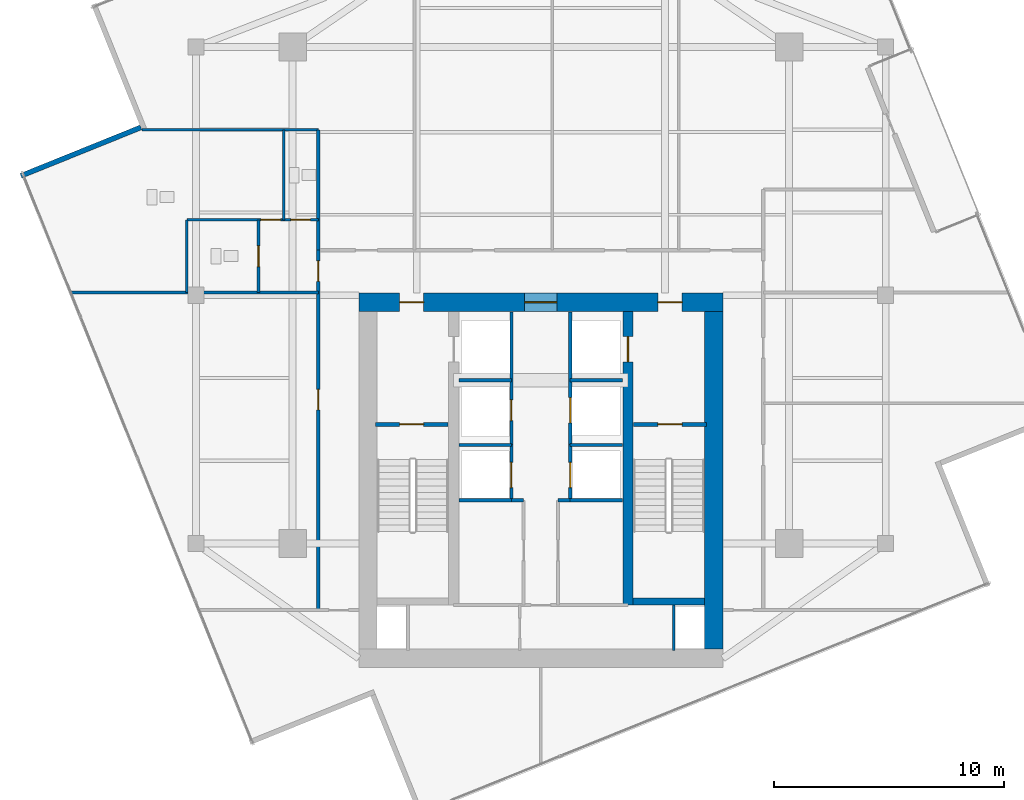
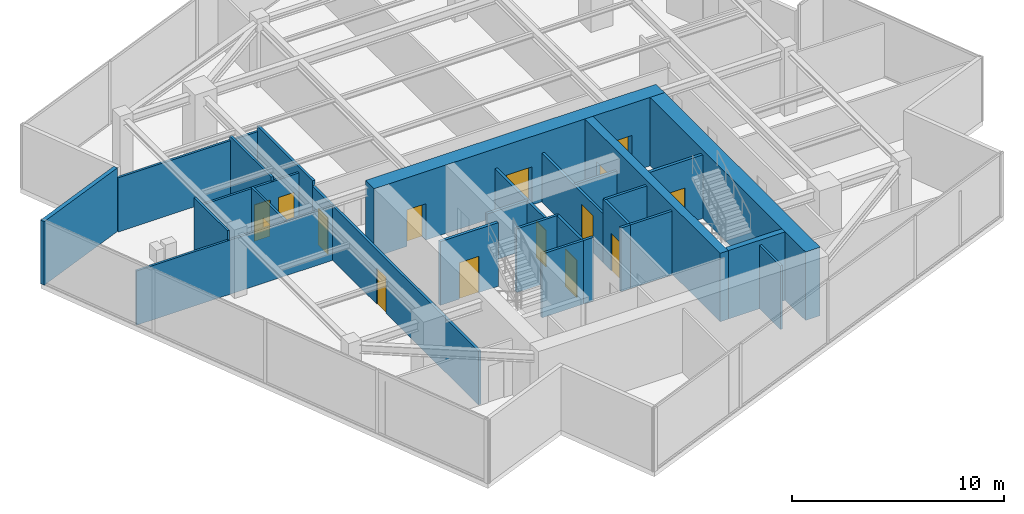
# One storey, part 18 of 21: 28 walls, 15 doors, 15 openings.
"""IFC4 building model written with IfcOpenShell, lengths in metres."""

from ifc_helpers import new_model, si_unit, direction, frame, frame_2d, origin, place, context, subcontext, project, spatial, rectangle, extrude, material, layer, layer_set, type_object, element, fill, save


model = new_model("IFC4")

# Units and contexts
model_context = context("Model", 3, precision=1e-05, world=origin(), true_north=direction((0.0, 1.0)))
body_context = subcontext(model_context, "Body", "Model", "MODEL_VIEW")
ifc_project = project(units=[si_unit("LENGTHUNIT", "METRE"), si_unit("AREAUNIT", "SQUARE_METRE"), si_unit("VOLUMEUNIT", "CUBIC_METRE"), si_unit("PLANEANGLEUNIT", "RADIAN"), si_unit("MASSUNIT", "GRAM", prefix="KILO")], contexts=[model_context])

# Site, building, storey
site_placement = place(None, origin())
site = spatial("IfcSite", under=ifc_project, at=site_placement, CompositionType="ELEMENT")
building_placement = place(site_placement, origin())
building = spatial("IfcBuilding", under=site, at=building_placement, Name="Krantzveldt Concourse Tower", CompositionType="ELEMENT")
storey_placement = place(building_placement, frame((0.0, 0.0, 327.699951171875)))
storey = spatial("IfcBuildingStorey", under=building, at=storey_placement, Name="L80", CompositionType="ELEMENT", Elevation=327.699951171875)

# Walls
ifc_material_1 = material(Name="Anodised aluminium 6063-T6", Category="aluminium")
ifc_layer_1 = layer(ifc_material_1, 0.219970703125, Name="Anodised aluminium 6063-T6", Category="aluminium")
ifc_layer_set_1 = layer_set([ifc_layer_1], Name="Anodised aluminium 6063-T6 (WL-EXT-NOTCH220)")
wall_type_1 = type_object("IfcWallType", Name="WL-EXT-NOTCH220", PredefinedType="ELEMENTEDWALL", material=ifc_layer_set_1)
wall_1_placement = place(storey_placement, frame((18.59716796875, 34.00244140625, 0.0), z_axis=(0.0, 0.0, 1.0), x_axis=(-0.927180963658, -0.374613748588, 0.0)))
element("IfcWall", 1, at=wall_1_placement, inside=storey, type_object=wall_type_1, Name="EW-L80-NCH03", PredefinedType="ELEMENTEDWALL", context=body_context, shape_type="SweptSolid", body=[
    extrude(rectangle(XDim=5.625, YDim=0.219970703125, at=frame_2d((2.8125, 0.0))), origin(), (0.0, 0.0, 1.0), 3.670166015625),
])
ifc_material_2 = material(Name="Fire-rated gypsum plasterboard on steel stud", Category="steel")
ifc_layer_2 = layer(ifc_material_2, 0.1201171875, Name="Fire-rated gypsum plasterboard on steel stud", Category="steel")
ifc_layer_set_2 = layer_set([ifc_layer_2], Name="Fire-rated gypsum plasterboard on steel stud (WL-PART-120)")
wall_type_2 = type_object("IfcWallType", Name="WL-PART-120", PredefinedType="PARTITIONING", material=ifc_layer_set_2)
wall_2_placement = place(storey_placement, frame((15.556396484375, 26.820068359375, 0.0), z_axis=(0.0, 0.0, 1.0), x_axis=(1.0, 0.0, 0.0)))
element("IfcWall", 2, at=wall_2_placement, inside=storey, type_object=wall_type_2, Name="WP-L80-WCBS", PredefinedType="PARTITIONING", context=body_context, shape_type="SweptSolid", body=[
    extrude(rectangle(XDim=10.763671875, YDim=0.1201171875, at=frame_2d((5.3818359375, 0.0))), origin(), (0.0, 0.0, 1.0), 3.130126953125),
])
wall_3_placement = place(storey_placement, frame((18.638671875, 33.89990234375, 0.0), z_axis=(0.0, 0.0, 1.0), x_axis=(1.0, 0.0, 0.0)))
element("IfcWall", 3, at=wall_3_placement, inside=storey, type_object=wall_type_2, Name="WP-L80-WCBN", PredefinedType="PARTITIONING", context=body_context, shape_type="SweptSolid", body=[
    extrude(rectangle(XDim=7.681396484375, YDim=0.1201171875, at=frame_2d((3.8408203125, 0.0))), origin(), (0.0, 0.0, 1.0), 3.130126953125),
])

# Wall, openings, doors
wall_4_placement = place(storey_placement, frame((20.60009765625, 29.97998046875, 0.0), z_axis=(0.0, 0.0, 1.0), x_axis=(1.0, 0.0, 0.0)))
wall_4 = element("IfcWall", 4, at=wall_4_placement, inside=storey, type_object=wall_type_2, Name="WP-L80-WCMH", PredefinedType="PARTITIONING", context=body_context, shape_type="SweptSolid", body=[
    extrude(rectangle(XDim=5.719970703125, YDim=0.1201171875, at=frame_2d((2.85986328125, 0.0))), origin(), (0.0, 0.0, 1.0), 3.130126953125),
])
opening_1_placement = place(wall_4_placement, frame((3.22509765625, 0.0, 0.0)))
opening_1 = element("IfcOpeningElement", 5, at=opening_1_placement, cuts=wall_4, Name="Opening D-IN085", PredefinedType="OPENING", context=body_context, shape_type="SweptSolid", body=[
    extrude(rectangle(XDim=0.85009765625, YDim=2.10009765625, at=frame_2d((0.425048828125, 1.050048828125))), frame((0.0, 0.070068359375, 0.0), z_axis=(0.0, -1.0, 0.0), x_axis=(1.0, 0.0, 0.0)), (0.0, 0.0, 1.0), 0.14013671875),
])
opening_2_placement = place(wall_4_placement, frame((4.52490234375, 0.0, 0.0)))
opening_2 = element("IfcOpeningElement", 6, at=opening_2_placement, cuts=wall_4, Name="Opening D-IN085", PredefinedType="OPENING", context=body_context, shape_type="SweptSolid", body=[
    extrude(rectangle(XDim=0.85009765625, YDim=2.10009765625, at=frame_2d((0.425048828125, 1.050048828125))), frame((0.0, 0.070068359375, 0.0), z_axis=(0.0, -1.0, 0.0), x_axis=(1.0, 0.0, 0.0)), (0.0, 0.0, 1.0), 0.14013671875),
])
ifc_material_3 = material(Name="Hardwood timber", Category="wood")
door_type_1 = type_object("IfcDoorType", Name="DR-INT-850", OperationType="SINGLE_SWING_LEFT", PredefinedType="DOOR", material=ifc_material_3)
door_1_placement = place(opening_1_placement, origin())
door_1 = element("IfcDoor", 7, at=door_1_placement, inside=storey, type_object=door_type_1, Name="DR-L80-WCM", OperationType="SINGLE_SWING_LEFT", OverallHeight=2.10009765625, OverallWidth=0.85009765625, PredefinedType="DOOR", context=body_context, shape_type="SweptSolid", body=[
    extrude(rectangle(XDim=0.85009765625, YDim=2.10009765625, at=frame_2d((0.425048828125, 1.050048828125))), frame((0.0, 0.02490234375, 0.0), z_axis=(0.0, -1.0, 0.0), x_axis=(1.0, 0.0, 0.0)), (0.0, 0.0, 1.0), 0.050048828125),
])
fill(opening_1, door_1)
door_2_placement = place(opening_2_placement, origin())
door_2 = element("IfcDoor", 8, at=door_2_placement, inside=storey, type_object=door_type_1, Name="DR-L80-WCF", OperationType="SINGLE_SWING_RIGHT", OverallHeight=2.10009765625, OverallWidth=0.85009765625, PredefinedType="DOOR", context=body_context, shape_type="SweptSolid", body=[
    extrude(rectangle(XDim=0.85009765625, YDim=2.10009765625, at=frame_2d((0.425048828125, 1.050048828125))), frame((0.0, 0.02490234375, 0.0), z_axis=(0.0, -1.0, 0.0), x_axis=(1.0, 0.0, 0.0)), (0.0, 0.0, 1.0), 0.050048828125),
])
fill(opening_2, door_2)

# Wall
wall_5_placement = place(storey_placement, frame((20.60009765625, 26.820068359375, 0.0), z_axis=(0.0, 0.0, 1.0), x_axis=(0.0, 1.0, 0.0)))
element("IfcWall", 9, at=wall_5_placement, inside=storey, type_object=wall_type_2, Name="WP-L80-WCAL", PredefinedType="PARTITIONING", context=body_context, shape_type="SweptSolid", body=[
    extrude(rectangle(XDim=3.159912109375, YDim=0.1201171875, at=frame_2d((1.580078125, 0.0))), origin(), (0.0, 0.0, 1.0), 3.670166015625),
])

# Wall, opening, door
wall_6_placement = place(storey_placement, frame((23.719970703125, 26.820068359375, 0.0), z_axis=(0.0, 0.0, 1.0), x_axis=(0.0, 1.0, 0.0)))
wall_6 = element("IfcWall", 10, at=wall_6_placement, inside=storey, type_object=wall_type_2, Name="WP-L80-WCAV", PredefinedType="PARTITIONING", context=body_context, shape_type="SweptSolid", body=[
    extrude(rectangle(XDim=3.159912109375, YDim=0.1201171875, at=frame_2d((1.580078125, 0.0))), origin(), (0.0, 0.0, 1.0), 3.179931640625),
])
opening_3_placement = place(wall_6_placement, frame((1.1298828125, 0.0, 0.0)))
opening_3 = element("IfcOpeningElement", 11, at=opening_3_placement, cuts=wall_6, Name="Opening D-IN090", PredefinedType="OPENING", context=body_context, shape_type="SweptSolid", body=[
    extrude(rectangle(XDim=0.89990234375, YDim=2.10009765625, at=frame_2d((0.449951171875, 1.050048828125))), frame((0.0, 0.070068359375, 0.0), z_axis=(0.0, -1.0, 0.0), x_axis=(1.0, 0.0, 0.0)), (0.0, 0.0, 1.0), 0.14013671875),
])
door_type_2 = type_object("IfcDoorType", Name="DR-INT-900", OperationType="SINGLE_SWING_LEFT", PredefinedType="DOOR", material=ifc_material_3)
door_3_placement = place(opening_3_placement, origin())
door_3 = element("IfcDoor", 12, at=door_3_placement, inside=storey, type_object=door_type_2, Name="DR-L80-WCA", OperationType="SINGLE_SWING_LEFT", OverallHeight=2.10009765625, OverallWidth=0.89990234375, PredefinedType="DOOR", context=body_context, shape_type="SweptSolid", body=[
    extrude(rectangle(XDim=0.89990234375, YDim=2.10009765625, at=frame_2d((0.449951171875, 1.050048828125))), frame((0.0, 0.02490234375, 0.0), z_axis=(0.0, -1.0, 0.0), x_axis=(1.0, 0.0, 0.0)), (0.0, 0.0, 1.0), 0.050048828125),
])
fill(opening_3, door_3)

# Wall
wall_7_placement = place(storey_placement, frame((24.820068359375, 29.97998046875, 0.0), z_axis=(0.0, 0.0, 1.0), x_axis=(0.0, 1.0, 0.0)))
element("IfcWall", 13, at=wall_7_placement, inside=storey, type_object=wall_type_2, Name="WP-L80-WCFD", PredefinedType="PARTITIONING", context=body_context, shape_type="SweptSolid", body=[
    extrude(rectangle(XDim=3.919921875, YDim=0.1201171875, at=frame_2d((1.9599609375, 0.0))), origin(), (0.0, 0.0, 1.0), 3.3701171875),
])

# Wall, openings, doors
ifc_layer_3 = layer(ifc_material_2, 0.139892578125, Name="Fire-rated gypsum plasterboard on steel stud", Category="steel")
ifc_layer_set_3 = layer_set([ifc_layer_3], Name="Fire-rated gypsum plasterboard on steel stud (WL-PART-140)")
wall_type_3 = type_object("IfcWallType", Name="WL-PART-140", PredefinedType="PARTITIONING", material=ifc_layer_set_3)
wall_8_placement = place(storey_placement, frame((26.320068359375, 13.0, 0.0), z_axis=(0.0, 0.0, 1.0), x_axis=(0.0, 1.0, 0.0)))
wall_8 = element("IfcWall", 14, at=wall_8_placement, inside=storey, type_object=wall_type_3, Name="WP-L80-CWEST", PredefinedType="PARTITIONING", context=body_context, shape_type="SweptSolid", body=[
    extrude(rectangle(XDim=15.659912109375, YDim=0.139892578125, at=frame_2d((7.830078125, 0.0))), origin(), (0.0, 0.0, 1.0), 3.130126953125),
])
opening_4_placement = place(wall_8_placement, frame((14.300048828125, 0.0, 0.0)))
opening_4 = element("IfcOpeningElement", 15, at=opening_4_placement, cuts=wall_8, Name="Opening D-IN090", PredefinedType="OPENING", context=body_context, shape_type="SweptSolid", body=[
    extrude(rectangle(XDim=0.89990234375, YDim=2.10009765625, at=frame_2d((0.449951171875, 1.050048828125))), frame((0.0, 0.080078125, 0.0), z_axis=(0.0, -1.0, 0.0), x_axis=(1.0, 0.0, 0.0)), (0.0, 0.0, 1.0), 0.159912109375),
])
opening_5_placement = place(wall_8_placement, frame((8.7099609375, 0.0, 0.0)))
opening_5 = element("IfcOpeningElement", 16, at=opening_5_placement, cuts=wall_8, Name="Opening D-IN090", PredefinedType="OPENING", context=body_context, shape_type="SweptSolid", body=[
    extrude(rectangle(XDim=0.89990234375, YDim=2.10009765625, at=frame_2d((0.449951171875, 1.050048828125))), frame((0.0, 0.080078125, 0.0), z_axis=(0.0, -1.0, 0.0), x_axis=(1.0, 0.0, 0.0)), (0.0, 0.0, 1.0), 0.159912109375),
])
door_4_placement = place(opening_4_placement, origin())
door_4 = element("IfcDoor", 17, at=door_4_placement, inside=storey, type_object=door_type_2, Name="DR-L80-WCV", OperationType="SINGLE_SWING_LEFT", OverallHeight=2.10009765625, OverallWidth=0.89990234375, PredefinedType="DOOR", context=body_context, shape_type="SweptSolid", body=[
    extrude(rectangle(XDim=0.89990234375, YDim=2.10009765625, at=frame_2d((0.449951171875, 1.050048828125))), frame((0.0, 0.02490234375, 0.0), z_axis=(0.0, -1.0, 0.0), x_axis=(1.0, 0.0, 0.0)), (0.0, 0.0, 1.0), 0.050048828125),
])
fill(opening_4, door_4)
door_5_placement = place(opening_5_placement, origin())
door_5 = element("IfcDoor", 18, at=door_5_placement, inside=storey, type_object=door_type_2, Name="DR-L80-WR1", OperationType="SINGLE_SWING_LEFT", OverallHeight=2.10009765625, OverallWidth=0.89990234375, PredefinedType="DOOR", context=body_context, shape_type="SweptSolid", body=[
    extrude(rectangle(XDim=0.89990234375, YDim=2.10009765625, at=frame_2d((0.449951171875, 1.050048828125))), frame((0.0, 0.02490234375, 0.0), z_axis=(0.0, -1.0, 0.0), x_axis=(1.0, 0.0, 0.0)), (0.0, 0.0, 1.0), 0.050048828125),
])
fill(opening_5, door_5)

# Wall
wall_9_placement = place(storey_placement, frame((26.320068359375, 28.659912109375, 0.0), z_axis=(0.0, 0.0, 1.0), x_axis=(0.0, 1.0, 0.0)))
element("IfcWall", 19, at=wall_9_placement, inside=storey, type_object=wall_type_3, Name="WP-L80-NWL", PredefinedType="PARTITIONING", context=body_context, shape_type="SweptSolid", body=[
    extrude(rectangle(XDim=5.239990234375, YDim=0.139892578125, at=frame_2d((2.6201171875, 0.0))), origin(), (0.0, 0.0, 1.0), 3.429931640625),
])

# Wall, opening, door
ifc_layer_4 = layer(ifc_material_2, 0.139892578125, Name="Fire-rated gypsum plasterboard on steel stud", Category="steel")
ifc_layer_set_4 = layer_set([ifc_layer_4], Name="Fire-rated gypsum plasterboard on steel stud (WL-PART-FR140)")
wall_type_4 = type_object("IfcWallType", Name="WL-PART-FR140", PredefinedType="PARTITIONING", material=ifc_layer_set_4)
wall_10_placement = place(storey_placement, frame((34.719970703125, 20.199951171875, 0.0), z_axis=(0.0, 0.0, 1.0), x_axis=(0.0, 1.0, 0.0)))
wall_10 = element("IfcWall", 20, at=wall_10_placement, inside=storey, type_object=wall_type_4, Name="WP-L80-SHNW", PredefinedType="PARTITIONING", context=body_context, shape_type="SweptSolid", body=[
    extrude(rectangle(XDim=5.780029296875, YDim=0.139892578125, at=frame_2d((2.89013671875, 0.0))), origin(), (0.0, 0.0, 1.0), 2.820068359375),
])
opening_6_placement = place(wall_10_placement, frame((1.050048828125, 0.0, 0.0)))
opening_6 = element("IfcOpeningElement", 21, at=opening_6_placement, cuts=wall_10, Name="Opening D-FD090", PredefinedType="OPENING", context=body_context, shape_type="SweptSolid", body=[
    extrude(rectangle(XDim=0.89990234375, YDim=2.10009765625, at=frame_2d((0.449951171875, 1.050048828125))), frame((0.0, 0.080078125, 0.0), z_axis=(0.0, -1.0, 0.0), x_axis=(1.0, 0.0, 0.0)), (0.0, 0.0, 1.0), 0.159912109375),
])
door_type_3 = type_object("IfcDoorType", Name="DR-FD60-900", OperationType="SINGLE_SWING_LEFT", PredefinedType="DOOR", material=ifc_material_3)
door_6_placement = place(opening_6_placement, origin())
door_6 = element("IfcDoor", 22, at=door_6_placement, inside=storey, type_object=door_type_3, Name="Electrical Riser Access Door L80", OperationType="SINGLE_SWING_LEFT", OverallHeight=2.10009765625, OverallWidth=0.89990234375, PredefinedType="DOOR", context=body_context, shape_type="SweptSolid", body=[
    extrude(rectangle(XDim=0.89990234375, YDim=2.10009765625, at=frame_2d((0.449951171875, 1.050048828125))), frame((0.0, 0.02490234375, 0.0), z_axis=(0.0, -1.0, 0.0), x_axis=(1.0, 0.0, 0.0)), (0.0, 0.0, 1.0), 0.050048828125),
])
fill(opening_6, door_6)

wall_11_placement = place(storey_placement, frame((37.280029296875, 20.199951171875, 0.0), z_axis=(0.0, 0.0, 1.0), x_axis=(0.0, 1.0, 0.0)))
wall_11 = element("IfcWall", 23, at=wall_11_placement, inside=storey, type_object=wall_type_4, Name="WP-L80-SHNE", PredefinedType="PARTITIONING", context=body_context, shape_type="SweptSolid", body=[
    extrude(rectangle(XDim=5.780029296875, YDim=0.139892578125, at=frame_2d((2.89013671875, 0.0))), origin(), (0.0, 0.0, 1.0), 2.820068359375),
])
opening_7_placement = place(wall_11_placement, frame((0.949951171875, 0.0, 0.0)))
opening_7 = element("IfcOpeningElement", 24, at=opening_7_placement, cuts=wall_11, Name="Opening LD", PredefinedType="OPENING", context=body_context, shape_type="SweptSolid", body=[
    extrude(rectangle(XDim=1.10009765625, YDim=2.14990234375, at=frame_2d((0.550048828125, 1.074951171875))), frame((0.0, 0.080078125, 0.0), z_axis=(0.0, -1.0, 0.0), x_axis=(1.0, 0.0, 0.0)), (0.0, 0.0, 1.0), 0.159912109375),
])
ifc_material_4 = material(Name="Stainless steel 316L", Category="steel")
door_type_4 = type_object("IfcDoorType", Name="DR-SLIDE-LD1100", OperationType="DOUBLE_DOOR_SLIDING", PredefinedType="DOOR", material=ifc_material_4)
door_7_placement = place(opening_7_placement, origin())
door_7 = element("IfcDoor", 25, at=door_7_placement, inside=storey, type_object=door_type_4, Name="LD-L80-GL1", OperationType="DOUBLE_DOOR_SLIDING", OverallHeight=2.14990234375, OverallWidth=1.10009765625, PredefinedType="DOOR", context=body_context, shape_type="SweptSolid", body=[
    extrude(rectangle(XDim=1.10009765625, YDim=2.14990234375, at=frame_2d((0.550048828125, 1.074951171875))), frame((0.0, 0.02490234375, 0.0), z_axis=(0.0, -1.0, 0.0), x_axis=(1.0, 0.0, 0.0)), (0.0, 0.0, 1.0), 0.050048828125),
])
fill(opening_7, door_7)

# Walls
for number, where, z_axis, x_axis, name in (
    (26, (32.449951171875, 23.0, 0.0), (0.0, 0.0, 1.0), (1.0, 0.0, 0.0), "WP-L80-RISH"),
    (27, (37.280029296875, 23.0, 0.0), (0.0, 0.0, 1.0), (1.0, 0.0, 0.0), "WP-L80-GLH"),
):
    element("IfcWall", number, at=place(storey_placement, frame(where, z_axis=z_axis, x_axis=x_axis)), inside=storey, type_object=wall_type_4, Name=name, PredefinedType="PARTITIONING", context=body_context, shape_type="SweptSolid", body=[
        extrude(rectangle(XDim=2.27001953125, YDim=0.139892578125, at=frame_2d((1.135009765625, 0.0))), origin(), (0.0, 0.0, 1.0), 2.820068359375),
    ])

# Wall, opening, door
wall_12_placement = place(storey_placement, frame((34.719970703125, 17.780029296875, 0.0), z_axis=(0.0, 0.0, 1.0), x_axis=(0.0, 1.0, 0.0)))
wall_12 = element("IfcWall", 28, at=wall_12_placement, inside=storey, type_object=wall_type_4, Name="WP-L80-SHNW2", PredefinedType="PARTITIONING", context=body_context, shape_type="SweptSolid", body=[
    extrude(rectangle(XDim=2.419921875, YDim=0.139892578125, at=frame_2d((1.2099609375, 0.0))), origin(), (0.0, 0.0, 1.0), 3.670166015625),
])
opening_8_placement = place(wall_12_placement, frame((0.550048828125, 0.0, 0.0)))
opening_8 = element("IfcOpeningElement", 29, at=opening_8_placement, cuts=wall_12, Name="Opening LD", PredefinedType="OPENING", context=body_context, shape_type="SweptSolid", body=[
    extrude(rectangle(XDim=1.10009765625, YDim=2.14990234375, at=frame_2d((0.550048828125, 1.074951171875))), frame((0.0, 0.080078125, 0.0), z_axis=(0.0, -1.0, 0.0), x_axis=(1.0, 0.0, 0.0)), (0.0, 0.0, 1.0), 0.159912109375),
])
door_8_placement = place(opening_8_placement, origin())
door_8 = element("IfcDoor", 30, at=door_8_placement, inside=storey, type_object=door_type_4, Name="LD-L80-PH1", OperationType="DOUBLE_DOOR_SLIDING", OverallHeight=2.14990234375, OverallWidth=1.10009765625, PredefinedType="DOOR", context=body_context, shape_type="SweptSolid", body=[
    extrude(rectangle(XDim=1.10009765625, YDim=2.14990234375, at=frame_2d((0.550048828125, 1.074951171875))), frame((0.0, 0.02490234375, 0.0), z_axis=(0.0, -1.0, 0.0), x_axis=(1.0, 0.0, 0.0)), (0.0, 0.0, 1.0), 0.050048828125),
])
fill(opening_8, door_8)

wall_13_placement = place(storey_placement, frame((37.280029296875, 17.780029296875, 0.0), z_axis=(0.0, 0.0, 1.0), x_axis=(0.0, 1.0, 0.0)))
wall_13 = element("IfcWall", 31, at=wall_13_placement, inside=storey, type_object=wall_type_4, Name="WP-L80-SHNE2", PredefinedType="PARTITIONING", context=body_context, shape_type="SweptSolid", body=[
    extrude(rectangle(XDim=2.419921875, YDim=0.139892578125, at=frame_2d((1.2099609375, 0.0))), origin(), (0.0, 0.0, 1.0), 3.670166015625),
])
opening_9_placement = place(wall_13_placement, frame((0.550048828125, 0.0, 0.0)))
opening_9 = element("IfcOpeningElement", 32, at=opening_9_placement, cuts=wall_13, Name="Opening LD", PredefinedType="OPENING", context=body_context, shape_type="SweptSolid", body=[
    extrude(rectangle(XDim=1.10009765625, YDim=2.14990234375, at=frame_2d((0.550048828125, 1.074951171875))), frame((0.0, 0.080078125, 0.0), z_axis=(0.0, -1.0, 0.0), x_axis=(1.0, 0.0, 0.0)), (0.0, 0.0, 1.0), 0.159912109375),
])
door_9_placement = place(opening_9_placement, origin())
door_9 = element("IfcDoor", 33, at=door_9_placement, inside=storey, type_object=door_type_4, Name="LD-L80-PH2", OperationType="DOUBLE_DOOR_SLIDING", OverallHeight=2.14990234375, OverallWidth=1.10009765625, PredefinedType="DOOR", context=body_context, shape_type="SweptSolid", body=[
    extrude(rectangle(XDim=1.10009765625, YDim=2.14990234375, at=frame_2d((0.550048828125, 1.074951171875))), frame((0.0, 0.02490234375, 0.0), z_axis=(0.0, -1.0, 0.0), x_axis=(1.0, 0.0, 0.0)), (0.0, 0.0, 1.0), 0.050048828125),
])
fill(opening_9, door_9)

# Walls
for number, where, z_axis, x_axis, name in (
    (34, (32.449951171875, 17.780029296875, 0.0), (0.0, 0.0, 1.0), (1.0, 0.0, 0.0), "WP-L80-DIVW2"),
    (35, (32.449951171875, 20.179931640625, 0.0), (0.0, 0.0, 1.0), (1.0, 0.0, 0.0), "WP-L80-DIVW3"),
    (36, (37.280029296875, 17.780029296875, 0.0), (0.0, 0.0, 1.0), (1.0, 0.0, 0.0), "WP-L80-DIVE2"),
    (37, (37.280029296875, 20.179931640625, 0.0), (0.0, 0.0, 1.0), (1.0, 0.0, 0.0), "WP-L80-DIVE3"),
):
    element("IfcWall", number, at=place(storey_placement, frame(where, z_axis=z_axis, x_axis=x_axis)), inside=storey, type_object=wall_type_4, Name=name, PredefinedType="PARTITIONING", context=body_context, shape_type="SweptSolid", body=[
        extrude(rectangle(XDim=2.27001953125, YDim=0.139892578125, at=frame_2d((1.135009765625, 0.0))), origin(), (0.0, 0.0, 1.0), 3.670166015625),
    ])
for number, where, z_axis, x_axis, name in (
    (38, (34.719970703125, 17.780029296875, 0.0), (0.0, 0.0, 1.0), (1.0, 0.0, 0.0), "WP-L80-RECWN"),
    (39, (36.75, 17.780029296875, 0.0), (0.0, 0.0, 1.0), (1.0, 0.0, 0.0), "WP-L80-RECEN"),
):
    element("IfcWall", number, at=place(storey_placement, frame(where, z_axis=z_axis, x_axis=x_axis)), inside=storey, type_object=wall_type_4, Name=name, PredefinedType="PARTITIONING", context=body_context, shape_type="SweptSolid", body=[
        extrude(rectangle(XDim=0.530029296875, YDim=0.139892578125, at=frame_2d((0.26513671875, 0.0))), origin(), (0.0, 0.0, 1.0), 3.670166015625),
    ])
wall_14_placement = place(storey_placement, frame((41.780029296875, 11.25, 0.0), z_axis=(0.0, 0.0, 1.0), x_axis=(0.0, 1.0, 0.0)))
element("IfcWall", 40, at=wall_14_placement, inside=storey, type_object=wall_type_4, Name="WP-L80-RSE", PredefinedType="PARTITIONING", context=body_context, shape_type="SweptSolid", body=[
    extrude(rectangle(XDim=1.969970703125, YDim=0.1201171875, at=frame_2d((0.98486328125, 0.0))), origin(), (0.0, 0.0, 1.0), 3.670166015625),
])

# Wall, opening, door
ifc_layer_5 = layer(ifc_material_2, 0.159912109375, Name="Fire-rated gypsum plasterboard on steel stud", Category="steel")
ifc_layer_set_5 = layer_set([ifc_layer_5], Name="Fire-rated gypsum plasterboard on steel stud (WL-PART-FR160)")
wall_type_5 = type_object("IfcWallType", Name="WL-PART-FR160", PredefinedType="PARTITIONING", material=ifc_layer_set_5)
wall_15_placement = place(storey_placement, frame((28.800048828125, 21.080078125, 0.0), z_axis=(0.0, 0.0, 1.0), x_axis=(1.0, 0.0, 0.0)))
wall_15 = element("IfcWall", 41, at=wall_15_placement, inside=storey, type_object=wall_type_5, Name="WP-L80-ST1", PredefinedType="PARTITIONING", context=body_context, shape_type="SweptSolid", body=[
    extrude(rectangle(XDim=3.159912109375, YDim=0.159912109375, at=frame_2d((1.580078125, 0.0))), origin(), (0.0, 0.0, 1.0), 3.670166015625),
])
opening_10_placement = place(wall_15_placement, frame((1.054931640625, 0.0, 0.0)))
opening_10 = element("IfcOpeningElement", 42, at=opening_10_placement, cuts=wall_15, Name="Opening D-FD105", PredefinedType="OPENING", context=body_context, shape_type="SweptSolid", body=[
    extrude(rectangle(XDim=1.050048828125, YDim=2.10009765625, at=frame_2d((0.52490234375, 1.050048828125))), frame((0.0, 0.08984375, 0.0), z_axis=(0.0, -1.0, 0.0), x_axis=(1.0, 0.0, 0.0)), (0.0, 0.0, 1.0), 0.179931640625),
])
ifc_material_5 = material(Name="Galvanised steel", Category="steel")
door_type_5 = type_object("IfcDoorType", Name="DR-FD120-1050", OperationType="SINGLE_SWING_LEFT", PredefinedType="DOOR", material=ifc_material_5)
door_10_placement = place(opening_10_placement, origin())
door_10 = element("IfcDoor", 43, at=door_10_placement, inside=storey, type_object=door_type_5, Name="DR-L80-ST1", OperationType="SINGLE_SWING_RIGHT", OverallHeight=2.10009765625, OverallWidth=1.050048828125, PredefinedType="DOOR", context=body_context, shape_type="SweptSolid", body=[
    extrude(rectangle(XDim=1.050048828125, YDim=2.10009765625, at=frame_2d((0.52490234375, 1.050048828125))), frame((0.0, 0.02490234375, 0.0), z_axis=(0.0, -1.0, 0.0), x_axis=(1.0, 0.0, 0.0)), (0.0, 0.0, 1.0), 0.050048828125),
])
fill(opening_10, door_10)

wall_16_placement = place(storey_placement, frame((40.0400390625, 21.080078125, 0.0), z_axis=(0.0, 0.0, 1.0), x_axis=(1.0, 0.0, 0.0)))
wall_16 = element("IfcWall", 44, at=wall_16_placement, inside=storey, type_object=wall_type_5, Name="WP-L80-ST2", PredefinedType="PARTITIONING", context=body_context, shape_type="SweptSolid", body=[
    extrude(rectangle(XDim=3.159912109375, YDim=0.159912109375, at=frame_2d((1.580078125, 0.0))), origin(), (0.0, 0.0, 1.0), 3.670166015625),
])
opening_11_placement = place(wall_16_placement, frame((1.054931640625, 0.0, 0.0)))
opening_11 = element("IfcOpeningElement", 45, at=opening_11_placement, cuts=wall_16, Name="Opening D-FD105", PredefinedType="OPENING", context=body_context, shape_type="SweptSolid", body=[
    extrude(rectangle(XDim=1.050048828125, YDim=2.10009765625, at=frame_2d((0.52490234375, 1.050048828125))), frame((0.0, 0.08984375, 0.0), z_axis=(0.0, -1.0, 0.0), x_axis=(1.0, 0.0, 0.0)), (0.0, 0.0, 1.0), 0.179931640625),
])
door_11_placement = place(opening_11_placement, origin())
door_11 = element("IfcDoor", 46, at=door_11_placement, inside=storey, type_object=door_type_5, Name="DR-L80-ST2", OperationType="SINGLE_SWING_LEFT", OverallHeight=2.10009765625, OverallWidth=1.050048828125, PredefinedType="DOOR", context=body_context, shape_type="SweptSolid", body=[
    extrude(rectangle(XDim=1.050048828125, YDim=2.10009765625, at=frame_2d((0.52490234375, 1.050048828125))), frame((0.0, 0.02490234375, 0.0), z_axis=(0.0, -1.0, 0.0), x_axis=(1.0, 0.0, 0.0)), (0.0, 0.0, 1.0), 0.050048828125),
])
fill(opening_11, door_11)

# Wall
ifc_material_6 = material(Name="Concrete C50/60", Category="concrete")
ifc_layer_6 = layer(ifc_material_6, 0.300048828125, Name="Concrete C50/60", Category="concrete")
ifc_layer_set_6 = layer_set([ifc_layer_6], Name="Concrete C50/60 (WL-SHEAR-300)")
wall_type_6 = type_object("IfcWallType", Name="WL-SHEAR-300", PredefinedType="SHEAR", material=ifc_layer_set_6)
wall_17_placement = place(storey_placement, frame((40.02001953125, 13.3701171875, 0.0), z_axis=(0.0, 0.0, 1.0), x_axis=(1.0, 0.0, 0.0)))
element("IfcWall", 47, at=wall_17_placement, inside=storey, type_object=wall_type_6, Name="CW-L80-ST2S", PredefinedType="SHEAR", context=body_context, shape_type="SweptSolid", body=[
    extrude(rectangle(XDim=3.10009765625, YDim=0.300048828125, at=frame_2d((1.550048828125, 0.0))), origin(), (0.0, 0.0, 1.0), 3.949951171875),
])

# Wall, opening, door
ifc_layer_7 = layer(ifc_material_6, 0.449951171875, Name="Concrete C50/60", Category="concrete")
ifc_layer_set_7 = layer_set([ifc_layer_7], Name="Concrete C50/60 (WL-SHEAR-450)")
wall_type_7 = type_object("IfcWallType", Name="WL-SHEAR-450", PredefinedType="SHEAR", material=ifc_layer_set_7)
wall_18_placement = place(storey_placement, frame((39.794921875, 13.219970703125, 0.0), z_axis=(0.0, 0.0, 1.0), x_axis=(0.0, 1.0, 0.0)))
wall_18 = element("IfcWall", 48, at=wall_18_placement, inside=storey, type_object=wall_type_7, Name="CW-L80-IE", PredefinedType="SHEAR", context=body_context, shape_type="SweptSolid", body=[
    extrude(rectangle(XDim=12.780029296875, YDim=0.449951171875, at=frame_2d((6.39013671875, 0.0))), origin(), (0.0, 0.0, 1.0), 3.949951171875),
])
opening_12_placement = place(wall_18_placement, frame((10.580078125, 0.0, 0.0)))
opening_12 = element("IfcOpeningElement", 49, at=opening_12_placement, cuts=wall_18, Name="Opening LD", PredefinedType="OPENING", context=body_context, shape_type="SweptSolid", body=[
    extrude(rectangle(XDim=1.10009765625, YDim=2.14990234375, at=frame_2d((0.550048828125, 1.074951171875))), frame((0.0, 0.23486328125, 0.0), z_axis=(0.0, -1.0, 0.0), x_axis=(1.0, 0.0, 0.0)), (0.0, 0.0, 1.0), 0.469970703125),
])
door_12_placement = place(opening_12_placement, origin())
door_12 = element("IfcDoor", 50, at=door_12_placement, inside=storey, type_object=door_type_4, Name="LD-L80-FL2", OperationType="DOUBLE_DOOR_SLIDING", OverallHeight=2.14990234375, OverallWidth=1.10009765625, PredefinedType="DOOR", context=body_context, shape_type="SweptSolid", body=[
    extrude(rectangle(XDim=1.10009765625, YDim=2.14990234375, at=frame_2d((0.550048828125, 1.074951171875))), frame((0.0, 0.02490234375, 0.0), z_axis=(0.0, -1.0, 0.0), x_axis=(1.0, 0.0, 0.0)), (0.0, 0.0, 1.0), 0.050048828125),
])
fill(opening_12, door_12)

# Wall, openings, doors
ifc_material_7 = material(Name="Concrete C60/75", Category="concrete")
ifc_layer_8 = layer(ifc_material_7, 0.800048828125, Name="Concrete C60/75", Category="concrete")
ifc_layer_set_8 = layer_set([ifc_layer_8], Name="Concrete C60/75 (WL-SHEAR-800)")
wall_type_8 = type_object("IfcWallType", Name="WL-SHEAR-800", PredefinedType="SHEAR", material=ifc_layer_set_8)
wall_19_placement = place(storey_placement, frame((28.080078125, 26.39990234375, 0.0), z_axis=(0.0, 0.0, 1.0), x_axis=(1.0, 0.0, 0.0)))
wall_19 = element("IfcWall", 51, at=wall_19_placement, inside=storey, type_object=wall_type_8, Name="CW-L80-N", PredefinedType="SHEAR", context=body_context, shape_type="SweptSolid", body=[
    extrude(rectangle(XDim=15.83984375, YDim=0.800048828125, at=frame_2d((7.919921875, 0.0))), origin(), (0.0, 0.0, 1.0), 3.949951171875),
])
opening_13_placement = place(wall_19_placement, frame((7.219970703125, 0.0, 0.0)))
opening_13 = element("IfcOpeningElement", 52, at=opening_13_placement, cuts=wall_19, Name="Opening D-DB140", PredefinedType="OPENING", context=body_context, shape_type="SweptSolid", body=[
    extrude(rectangle(XDim=1.39990234375, YDim=2.199951171875, at=frame_2d((0.699951171875, 1.10009765625))), frame((0.0, 0.41015625, 0.0), z_axis=(0.0, -1.0, 0.0), x_axis=(1.0, 0.0, 0.0)), (0.0, 0.0, 1.0), 0.820068359375),
])
opening_14_placement = place(wall_19_placement, frame((1.77490234375, 0.0, 0.0)))
opening_14 = element("IfcOpeningElement", 53, at=opening_14_placement, cuts=wall_19, Name="Opening D-FD105", PredefinedType="OPENING", context=body_context, shape_type="SweptSolid", body=[
    extrude(rectangle(XDim=1.050048828125, YDim=2.10009765625, at=frame_2d((0.52490234375, 1.050048828125))), frame((0.0, 0.41015625, 0.0), z_axis=(0.0, -1.0, 0.0), x_axis=(1.0, 0.0, 0.0)), (0.0, 0.0, 1.0), 0.820068359375),
])
opening_15_placement = place(wall_19_placement, frame((13.014892578125, 0.0, 0.0)))
opening_15 = element("IfcOpeningElement", 54, at=opening_15_placement, cuts=wall_19, Name="Opening D-FD105", PredefinedType="OPENING", context=body_context, shape_type="SweptSolid", body=[
    extrude(rectangle(XDim=1.050048828125, YDim=2.10009765625, at=frame_2d((0.52490234375, 1.050048828125))), frame((0.0, 0.41015625, 0.0), z_axis=(0.0, -1.0, 0.0), x_axis=(1.0, 0.0, 0.0)), (0.0, 0.0, 1.0), 0.820068359375),
])
door_type_6 = type_object("IfcDoorType", Name="DR-DBL-1400", OperationType="DOUBLE_DOOR_SINGLE_SWING", PredefinedType="DOOR", material=ifc_material_1)
door_13_placement = place(opening_13_placement, origin())
door_13 = element("IfcDoor", 55, at=door_13_placement, inside=storey, type_object=door_type_6, Name="DR-L80-LLB", OperationType="DOUBLE_DOOR_SINGLE_SWING", OverallHeight=2.199951171875, OverallWidth=1.39990234375, PredefinedType="DOOR", context=body_context, shape_type="SweptSolid", body=[
    extrude(rectangle(XDim=1.39990234375, YDim=2.199951171875, at=frame_2d((0.699951171875, 1.10009765625))), frame((0.0, 0.02490234375, 0.0), z_axis=(0.0, -1.0, 0.0), x_axis=(1.0, 0.0, 0.0)), (0.0, 0.0, 1.0), 0.050048828125),
])
fill(opening_13, door_13)
door_14_placement = place(opening_14_placement, origin())
door_14 = element("IfcDoor", 56, at=door_14_placement, inside=storey, type_object=door_type_5, Name="DR-L80-FFL1", OperationType="SINGLE_SWING_LEFT", OverallHeight=2.10009765625, OverallWidth=1.050048828125, PredefinedType="DOOR", context=body_context, shape_type="SweptSolid", body=[
    extrude(rectangle(XDim=1.050048828125, YDim=2.10009765625, at=frame_2d((0.52490234375, 1.050048828125))), frame((0.0, 0.02490234375, 0.0), z_axis=(0.0, -1.0, 0.0), x_axis=(1.0, 0.0, 0.0)), (0.0, 0.0, 1.0), 0.050048828125),
])
fill(opening_14, door_14)
door_15_placement = place(opening_15_placement, origin())
door_15 = element("IfcDoor", 57, at=door_15_placement, inside=storey, type_object=door_type_5, Name="DR-L80-FFL2", OperationType="SINGLE_SWING_RIGHT", OverallHeight=2.10009765625, OverallWidth=1.050048828125, PredefinedType="DOOR", context=body_context, shape_type="SweptSolid", body=[
    extrude(rectangle(XDim=1.050048828125, YDim=2.10009765625, at=frame_2d((0.52490234375, 1.050048828125))), frame((0.0, 0.02490234375, 0.0), z_axis=(0.0, -1.0, 0.0), x_axis=(1.0, 0.0, 0.0)), (0.0, 0.0, 1.0), 0.050048828125),
])
fill(opening_15, door_15)

# Wall
wall_20_placement = place(storey_placement, frame((43.52001953125, 11.300048828125, 0.0), z_axis=(0.0, 0.0, 1.0), x_axis=(0.0, 1.0, 0.0)))
element("IfcWall", 58, at=wall_20_placement, inside=storey, type_object=wall_type_8, Name="CW-L80-E", PredefinedType="SHEAR", context=body_context, shape_type="SweptSolid", body=[
    extrude(rectangle(XDim=14.699951171875, YDim=0.800048828125, at=frame_2d((7.35009765625, 0.0))), origin(), (0.0, 0.0, 1.0), 3.949951171875),
])

save(model, "model.ifc")
